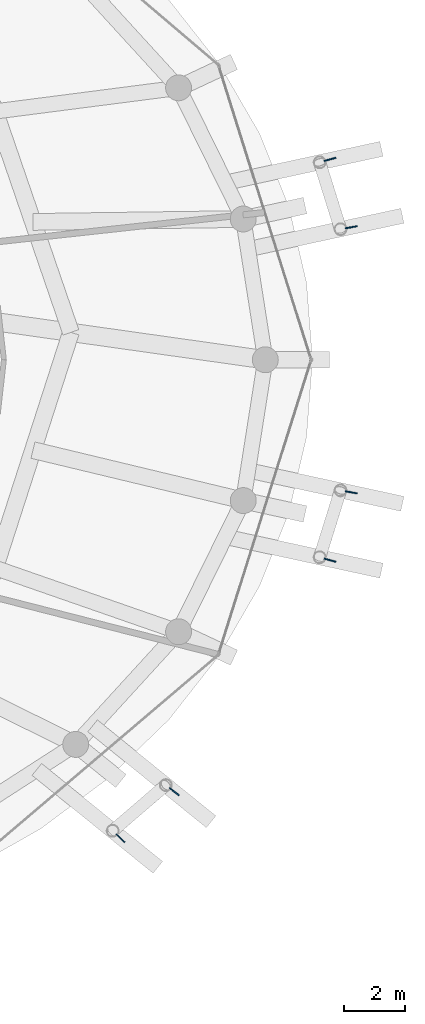
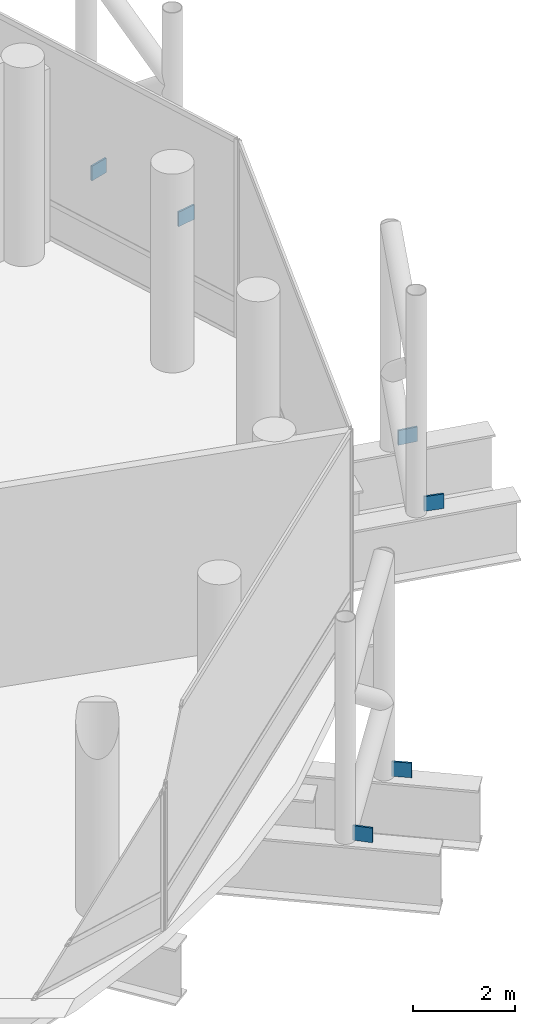
# One storey, part 28 of 31: 6 discrete accessories.
"""IFC4 building model written with IfcOpenShell, lengths in metres."""

from ifc_helpers import new_model, si_unit, direction, frame, origin, origin_2d, place, context, subcontext, project, spatial, rectangle, extrude, material, type_object, element, save


model = new_model("IFC4")

# Units and contexts
model_context = context("Model", 3, precision=1e-05, world=origin(), true_north=direction((0.0, 1.0)))
body_context = subcontext(model_context, "Body", "Model", "MODEL_VIEW")
ifc_project = project(units=[si_unit("LENGTHUNIT", "METRE"), si_unit("AREAUNIT", "SQUARE_METRE"), si_unit("VOLUMEUNIT", "CUBIC_METRE"), si_unit("PLANEANGLEUNIT", "RADIAN"), si_unit("MASSUNIT", "GRAM", prefix="KILO")], contexts=[model_context])

# Site, building, storey
site_placement = place(None, origin())
site = spatial("IfcSite", under=ifc_project, at=site_placement, CompositionType="ELEMENT")
building_placement = place(site_placement, origin())
building = spatial("IfcBuilding", under=site, at=building_placement, Name="Nuhasar Tower", CompositionType="ELEMENT")
storey_placement = place(building_placement, frame((0.0, 0.0, 203.14990234375)))
storey = spatial("IfcBuildingStorey", under=building, at=storey_placement, Name="L49", CompositionType="ELEMENT", Elevation=203.14990234375)

# Discrete accessories
ifc_material = material(Name="Steel S460", Category="steel")
discrete_accessory_type = type_object("IfcDiscreteAccessoryType", Name="ACC-GUS-40", PredefinedType="USERDEFINED", material=ifc_material)
for number, where, z_axis, x_axis, name in (
    (1, (63.06591796875, 31.14892578125, -0.320068359375), (0.0, 0.0, 1.0), (0.984062430207, 0.177823320895, 0.0), "L49 Exoskeleton Chord Column EC-01A Gusset Plate"),
    (2, (62.373046875, 33.376953125, -0.320068359375), (0.0, 0.0, 1.0), (0.962620870405, 0.27085246881, 0.0), "L49 Exoskeleton Chord Column EC-01B Gusset Plate"),
    (3, (55.49609375, 11.09912109375, -0.320068359375), (0.0, 0.0, 1.0), (0.724352378593, -0.689429932355, 0.0), "L49 Exoskeleton Chord Column EC-11A Gusset Plate"),
    (4, (57.262939453125, 12.625, -0.320068359375), (0.0, 0.0, 1.0), (0.789983825631, -0.613127682657, 0.0), "L49 Exoskeleton Chord Column EC-11B Gusset Plate"),
    (5, (62.373046875, 20.222900390625, -0.320068359375), (0.0, 0.0, 1.0), (0.962620870405, -0.27085246881, 0.0), "L49 Exoskeleton Chord Column EC-12A Gusset Plate"),
    (6, (63.06591796875, 22.450927734375, -0.320068359375), (0.0, 0.0, 1.0), (0.984062430207, -0.177823320895, 0.0), "L49 Exoskeleton Chord Column EC-12B Gusset Plate"),
):
    element("IfcDiscreteAccessory", number, at=place(storey_placement, frame(where, z_axis=z_axis, x_axis=x_axis)), inside=storey, type_object=discrete_accessory_type, Name=name, ObjectType="STEEL_GUSSET_PLATE", PredefinedType="USERDEFINED", context=body_context, shape_type="SweptSolid", body=[
        extrude(rectangle(XDim=0.39990234375, YDim=0.0400390625, at=origin_2d()), origin(), (0.0, 0.0, 1.0), 0.35009765625),
    ])

save(model, "model.ifc")
